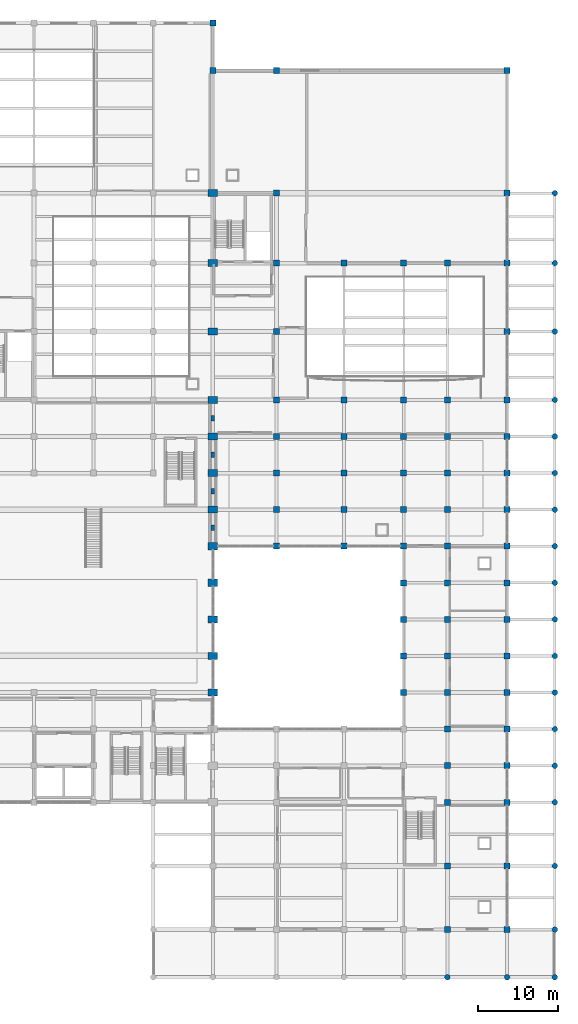
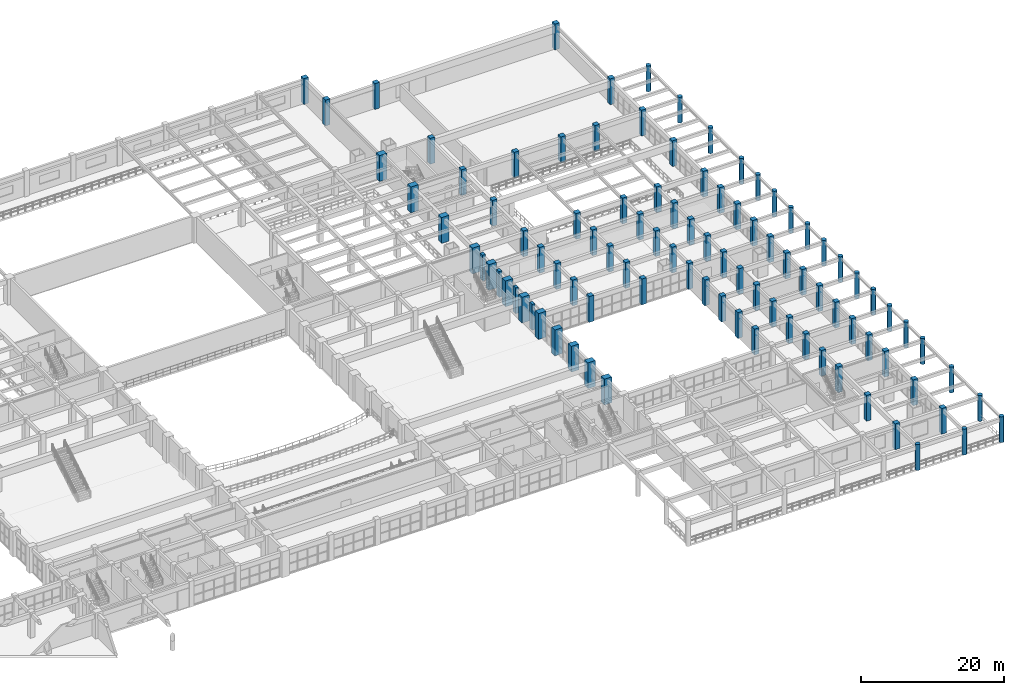
# One storey, part 2 of 116: 96 columns.
"""IFC4 building model written with IfcOpenShell, lengths in metres."""

from ifc_helpers import new_model, si_unit, direction, frame, origin, origin_2d, place, context, subcontext, project, spatial, rectangle, circle, extrude, material, material_profile, profile_set, type_object, element, save


model = new_model("IFC4")

# Units and contexts
model_context = context("Model", 3, precision=1e-05, world=origin(), true_north=direction((0.0, 1.0)))
body_context = subcontext(model_context, "Body", "Model", "MODEL_VIEW")
ifc_project = project(units=[si_unit("LENGTHUNIT", "METRE"), si_unit("AREAUNIT", "SQUARE_METRE"), si_unit("VOLUMEUNIT", "CUBIC_METRE"), si_unit("PLANEANGLEUNIT", "RADIAN"), si_unit("MASSUNIT", "GRAM", prefix="KILO")], contexts=[model_context])

# Site, building, storey
site_placement = place(None, origin())
site = spatial("IfcSite", under=ifc_project, at=site_placement, CompositionType="ELEMENT")
building_placement = place(site_placement, origin())
building = spatial("IfcBuilding", under=site, at=building_placement, Name="Muzn Square Opera House", CompositionType="ELEMENT")
storey_placement = place(building_placement, frame((0.0, 0.0, 5.39990234375)))
storey = spatial("IfcBuildingStorey", under=building, at=storey_placement, Name="L01", CompositionType="ELEMENT", Elevation=5.39990234375)

# Columns
ifc_material = material(Name="Concrete C45/55", Category="concrete")
ifc_material_profile_1 = material_profile(ifc_material, circle(Radius=0.35009765625, at=origin_2d()), Name="RCC D700", Category="concrete")
ifc_profile_set_1 = profile_set([ifc_material_profile_1], Name="Concrete C45/55")
column_type_1 = type_object("IfcColumnType", Name="Colonnade Round Column D700", PredefinedType="COLUMN", material=ifc_profile_set_1)
for number, where, z_axis, x_axis, name in (
    (1, (162.5, 0.0, 0.0), (0.0, 0.0, 1.0), (1.0, 0.0, 0.0), "Column COL-L01-COL-D700-1625_0"),
    (2, (170.0, 0.0, 0.0), (0.0, 0.0, 1.0), (1.0, 0.0, 0.0), "Column COL-L01-COL-D700-1700_0"),
    (3, (176.0, 0.0, 0.0), (0.0, 0.0, 1.0), (1.0, 0.0, 0.0), "Column COL-L01-COL-D700-1760_0"),
    (4, (176.0, 6.0, 0.0), (0.0, 0.0, 1.0), (1.0, 0.0, 0.0), "Column COL-L01-COL-D700-1760_60"),
    (5, (176.0, 14.0, 0.0), (0.0, 0.0, 1.0), (1.0, 0.0, 0.0), "Column COL-L01-COL-D700-1760_140"),
    (6, (176.0, 22.0, 0.0), (0.0, 0.0, 1.0), (1.0, 0.0, 0.0), "Column COL-L01-COL-D700-1760_220"),
    (7, (176.0, 26.60009765625, 0.0), (0.0, 0.0, 1.0), (1.0, 0.0, 0.0), "Column COL-L01-COL-D700-1760_266"),
    (8, (176.0, 31.199951171875, 0.0), (0.0, 0.0, 1.0), (1.0, 0.0, 0.0), "Column COL-L01-COL-D700-1760_312"),
    (9, (176.0, 35.800048828125, 0.0), (0.0, 0.0, 1.0), (1.0, 0.0, 0.0), "Column COL-L01-COL-D700-1760_358"),
    (10, (176.0, 40.39990234375, 0.0), (0.0, 0.0, 1.0), (1.0, 0.0, 0.0), "Column COL-L01-COL-D700-1760_404"),
    (11, (176.0, 45.0, 0.0), (0.0, 0.0, 1.0), (1.0, 0.0, 0.0), "Column COL-L01-COL-D700-1760_450"),
    (12, (176.0, 49.60009765625, 0.0), (0.0, 0.0, 1.0), (1.0, 0.0, 0.0), "Column COL-L01-COL-D700-1760_496"),
    (13, (176.0, 54.199951171875, 0.0), (0.0, 0.0, 1.0), (1.0, 0.0, 0.0), "Column COL-L01-COL-D700-1760_542"),
    (14, (176.0, 58.800048828125, 0.0), (0.0, 0.0, 1.0), (1.0, 0.0, 0.0), "Column COL-L01-COL-D700-1760_588"),
    (15, (176.0, 63.39990234375, 0.0), (0.0, 0.0, 1.0), (1.0, 0.0, 0.0), "Column COL-L01-COL-D700-1760_634"),
    (16, (176.0, 68.0, 0.0), (0.0, 0.0, 1.0), (1.0, 0.0, 0.0), "Column COL-L01-COL-D700-1760_680"),
    (17, (176.0, 72.60009765625, 0.0), (0.0, 0.0, 1.0), (1.0, 0.0, 0.0), "Column COL-L01-COL-D700-1760_726"),
    (18, (176.0, 81.199951171875, 0.0), (0.0, 0.0, 1.0), (1.0, 0.0, 0.0), "Column COL-L01-COL-D700-1760_812"),
    (19, (176.0, 89.800048828125, 0.0), (0.0, 0.0, 1.0), (1.0, 0.0, 0.0), "Column COL-L01-COL-D700-1760_898"),
    (20, (176.0, 98.60009765625, 0.0), (0.0, 0.0, 1.0), (1.0, 0.0, 0.0), "Column COL-L01-COL-D700-1760_986"),
):
    element("IfcColumn", number, at=place(storey_placement, frame(where, z_axis=z_axis, x_axis=x_axis)), inside=storey, type_object=column_type_1, Name=name, PredefinedType="COLUMN", context=body_context, shape_type="SweptSolid", body=[
        extrude(circle(Radius=0.35009765625, at=origin_2d()), origin(), (0.0, 0.0, 1.0), 4.400146484375),
    ])
ifc_material_profile_2 = material_profile(ifc_material, rectangle(XDim=0.449951171875, YDim=0.699951171875, at=origin_2d()), Name="RC 450x700", Category="concrete")
ifc_profile_set_2 = profile_set([ifc_material_profile_2], Name="Concrete C45/55")
column_type_2 = type_object("IfcColumnType", Name="Facade Pilaster 450x700", PredefinedType="PILASTER", material=ifc_profile_set_2)
for number, where, z_axis, x_axis, name in (
    (21, (133.0, 56.5, 0.0), (0.0, 0.0, 1.0), (1.0, 0.0, 0.0), "Engaged Pilaster PIL-L01-PIL-4570-1330_565"),
    (22, (133.0, 61.10009765625, 0.0), (0.0, 0.0, 1.0), (1.0, 0.0, 0.0), "Engaged Pilaster PIL-L01-PIL-4570-1330_611"),
    (23, (133.0, 65.699951171875, 0.0), (0.0, 0.0, 1.0), (1.0, 0.0, 0.0), "Engaged Pilaster PIL-L01-PIL-4570-1330_657"),
    (24, (133.0, 70.300048828125, 0.0), (0.0, 0.0, 1.0), (1.0, 0.0, 0.0), "Engaged Pilaster PIL-L01-PIL-4570-1330_703"),
):
    element("IfcColumn", number, at=place(storey_placement, frame(where, z_axis=z_axis, x_axis=x_axis)), inside=storey, type_object=column_type_2, Name=name, PredefinedType="PILASTER", context=body_context, shape_type="SweptSolid", body=[
        extrude(rectangle(XDim=0.449951171875, YDim=0.699951171875, at=origin_2d()), origin(), (0.0, 0.0, 1.0), 4.400146484375),
    ])
ifc_material_profile_3 = material_profile(ifc_material, rectangle(XDim=1.199951171875, YDim=0.89990234375, at=origin_2d()), Name="RC 1200x900", Category="concrete")
ifc_profile_set_3 = profile_set([ifc_material_profile_3], Name="Concrete C45/55")
column_type_3 = type_object("IfcColumnType", Name="Frame Column 1200x900", PredefinedType="COLUMN", material=ifc_profile_set_3)
for number, where, z_axis, x_axis, name in (
    (25, (133.0, 35.800048828125, 0.0), (0.0, 0.0, 1.0), (1.0, 0.0, 0.0), "Column COL-L01-COL-1209-1330_358"),
    (26, (133.0, 40.39990234375, 0.0), (0.0, 0.0, 1.0), (1.0, 0.0, 0.0), "Column COL-L01-COL-1209-1330_404"),
    (27, (133.0, 45.0, 0.0), (0.0, 0.0, 1.0), (1.0, 0.0, 0.0), "Column COL-L01-COL-1209-1330_450"),
    (28, (133.0, 49.60009765625, 0.0), (0.0, 0.0, 1.0), (1.0, 0.0, 0.0), "Column COL-L01-COL-1209-1330_496"),
    (29, (133.0, 54.199951171875, 0.0), (0.0, 0.0, 1.0), (1.0, 0.0, 0.0), "Column COL-L01-COL-1209-1330_542"),
    (30, (133.0, 58.800048828125, 0.0), (0.0, 0.0, 1.0), (1.0, 0.0, 0.0), "Column COL-L01-COL-1209-1330_588"),
    (31, (133.0, 63.39990234375, 0.0), (0.0, 0.0, 1.0), (1.0, 0.0, 0.0), "Column COL-L01-COL-1209-1330_634"),
    (32, (133.0, 68.0, 0.0), (0.0, 0.0, 1.0), (1.0, 0.0, 0.0), "Column COL-L01-COL-1209-1330_680"),
    (33, (133.0, 72.60009765625, 0.0), (0.0, 0.0, 1.0), (1.0, 0.0, 0.0), "Column COL-L01-COL-1209-1330_726"),
    (34, (133.0, 81.199951171875, 0.0), (0.0, 0.0, 1.0), (1.0, 0.0, 0.0), "Column COL-L01-COL-1209-1330_812"),
    (35, (133.0, 89.800048828125, 0.0), (0.0, 0.0, 1.0), (1.0, 0.0, 0.0), "Column COL-L01-COL-1209-1330_898"),
    (36, (133.0, 98.60009765625, 0.0), (0.0, 0.0, 1.0), (1.0, 0.0, 0.0), "Column COL-L01-COL-1209-1330_986"),
):
    element("IfcColumn", number, at=place(storey_placement, frame(where, z_axis=z_axis, x_axis=x_axis)), inside=storey, type_object=column_type_3, Name=name, PredefinedType="COLUMN", context=body_context, shape_type="SweptSolid", body=[
        extrude(rectangle(XDim=1.199951171875, YDim=0.89990234375, at=origin_2d()), origin(), (0.0, 0.0, 1.0), 4.400146484375),
    ])
ifc_material_profile_4 = material_profile(ifc_material, rectangle(XDim=0.75, YDim=0.75, at=origin_2d()), Name="RC 750x750", Category="concrete")
ifc_profile_set_4 = profile_set([ifc_material_profile_4], Name="Concrete C45/55")
column_type_4 = type_object("IfcColumnType", Name="Frame Column 750x750", PredefinedType="COLUMN", material=ifc_profile_set_4)
for number, where, z_axis, x_axis, name in (
    (37, (133.0, 120.0, 0.0), (0.0, 0.0, 1.0), (1.0, 0.0, 0.0), "Column COL-L01-COL-750-1330_1200"),
    (38, (141.0, 54.199951171875, 0.0), (0.0, 0.0, 1.0), (1.0, 0.0, 0.0), "Column COL-L01-COL-750-1410_542"),
    (39, (141.0, 58.800048828125, 0.0), (0.0, 0.0, 1.0), (1.0, 0.0, 0.0), "Column COL-L01-COL-750-1410_588"),
    (40, (141.0, 63.39990234375, 0.0), (0.0, 0.0, 1.0), (1.0, 0.0, 0.0), "Column COL-L01-COL-750-1410_634"),
    (41, (141.0, 68.0, 0.0), (0.0, 0.0, 1.0), (1.0, 0.0, 0.0), "Column COL-L01-COL-750-1410_680"),
    (42, (141.0, 72.60009765625, 0.0), (0.0, 0.0, 1.0), (1.0, 0.0, 0.0), "Column COL-L01-COL-750-1410_726"),
    (43, (141.0, 81.199951171875, 0.0), (0.0, 0.0, 1.0), (1.0, 0.0, 0.0), "Column COL-L01-COL-750-1410_812"),
    (44, (141.0, 89.800048828125, 0.0), (0.0, 0.0, 1.0), (1.0, 0.0, 0.0), "Column COL-L01-COL-750-1410_898"),
    (45, (141.0, 98.60009765625, 0.0), (0.0, 0.0, 1.0), (1.0, 0.0, 0.0), "Column COL-L01-COL-750-1410_986"),
    (46, (149.5, 54.199951171875, 0.0), (0.0, 0.0, 1.0), (1.0, 0.0, 0.0), "Column COL-L01-COL-750-1495_542"),
    (47, (149.5, 58.800048828125, 0.0), (0.0, 0.0, 1.0), (1.0, 0.0, 0.0), "Column COL-L01-COL-750-1495_588"),
    (48, (149.5, 63.39990234375, 0.0), (0.0, 0.0, 1.0), (1.0, 0.0, 0.0), "Column COL-L01-COL-750-1495_634"),
    (49, (149.5, 68.0, 0.0), (0.0, 0.0, 1.0), (1.0, 0.0, 0.0), "Column COL-L01-COL-750-1495_680"),
    (50, (149.5, 72.60009765625, 0.0), (0.0, 0.0, 1.0), (1.0, 0.0, 0.0), "Column COL-L01-COL-750-1495_726"),
    (51, (149.5, 89.800048828125, 0.0), (0.0, 0.0, 1.0), (1.0, 0.0, 0.0), "Column COL-L01-COL-750-1495_898"),
    (52, (157.0, 35.800048828125, 0.0), (0.0, 0.0, 1.0), (1.0, 0.0, 0.0), "Column COL-L01-COL-750-1570_358"),
    (53, (157.0, 40.39990234375, 0.0), (0.0, 0.0, 1.0), (1.0, 0.0, 0.0), "Column COL-L01-COL-750-1570_404"),
    (54, (157.0, 45.0, 0.0), (0.0, 0.0, 1.0), (1.0, 0.0, 0.0), "Column COL-L01-COL-750-1570_450"),
    (55, (157.0, 49.60009765625, 0.0), (0.0, 0.0, 1.0), (1.0, 0.0, 0.0), "Column COL-L01-COL-750-1570_496"),
    (56, (157.0, 54.199951171875, 0.0), (0.0, 0.0, 1.0), (1.0, 0.0, 0.0), "Column COL-L01-COL-750-1570_542"),
    (57, (157.0, 58.800048828125, 0.0), (0.0, 0.0, 1.0), (1.0, 0.0, 0.0), "Column COL-L01-COL-750-1570_588"),
    (58, (157.0, 63.39990234375, 0.0), (0.0, 0.0, 1.0), (1.0, 0.0, 0.0), "Column COL-L01-COL-750-1570_634"),
    (59, (157.0, 68.0, 0.0), (0.0, 0.0, 1.0), (1.0, 0.0, 0.0), "Column COL-L01-COL-750-1570_680"),
    (60, (157.0, 72.60009765625, 0.0), (0.0, 0.0, 1.0), (1.0, 0.0, 0.0), "Column COL-L01-COL-750-1570_726"),
    (61, (157.0, 89.800048828125, 0.0), (0.0, 0.0, 1.0), (1.0, 0.0, 0.0), "Column COL-L01-COL-750-1570_898"),
    (62, (162.5, 6.0, 0.0), (0.0, 0.0, 1.0), (1.0, 0.0, 0.0), "Column COL-L01-COL-750-1625_60"),
    (63, (162.5, 14.0, 0.0), (0.0, 0.0, 1.0), (1.0, 0.0, 0.0), "Column COL-L01-COL-750-1625_140"),
    (64, (162.5, 22.0, 0.0), (0.0, 0.0, 1.0), (1.0, 0.0, 0.0), "Column COL-L01-COL-750-1625_220"),
    (65, (162.5, 26.60009765625, 0.0), (0.0, 0.0, 1.0), (1.0, 0.0, 0.0), "Column COL-L01-COL-750-1625_266"),
    (66, (162.5, 31.199951171875, 0.0), (0.0, 0.0, 1.0), (1.0, 0.0, 0.0), "Column COL-L01-COL-750-1625_312"),
    (67, (162.5, 35.800048828125, 0.0), (0.0, 0.0, 1.0), (1.0, 0.0, 0.0), "Column COL-L01-COL-750-1625_358"),
    (68, (162.5, 40.39990234375, 0.0), (0.0, 0.0, 1.0), (1.0, 0.0, 0.0), "Column COL-L01-COL-750-1625_404"),
    (69, (162.5, 45.0, 0.0), (0.0, 0.0, 1.0), (1.0, 0.0, 0.0), "Column COL-L01-COL-750-1625_450"),
    (70, (162.5, 49.60009765625, 0.0), (0.0, 0.0, 1.0), (1.0, 0.0, 0.0), "Column COL-L01-COL-750-1625_496"),
    (71, (162.5, 54.199951171875, 0.0), (0.0, 0.0, 1.0), (1.0, 0.0, 0.0), "Column COL-L01-COL-750-1625_542"),
    (72, (162.5, 58.800048828125, 0.0), (0.0, 0.0, 1.0), (1.0, 0.0, 0.0), "Column COL-L01-COL-750-1625_588"),
    (73, (162.5, 63.39990234375, 0.0), (0.0, 0.0, 1.0), (1.0, 0.0, 0.0), "Column COL-L01-COL-750-1625_634"),
    (74, (162.5, 68.0, 0.0), (0.0, 0.0, 1.0), (1.0, 0.0, 0.0), "Column COL-L01-COL-750-1625_680"),
    (75, (162.5, 72.60009765625, 0.0), (0.0, 0.0, 1.0), (1.0, 0.0, 0.0), "Column COL-L01-COL-750-1625_726"),
    (76, (162.5, 89.800048828125, 0.0), (0.0, 0.0, 1.0), (1.0, 0.0, 0.0), "Column COL-L01-COL-750-1625_898"),
    (77, (170.0, 6.0, 0.0), (0.0, 0.0, 1.0), (1.0, 0.0, 0.0), "Column COL-L01-COL-750-1700_60"),
    (78, (170.0, 14.0, 0.0), (0.0, 0.0, 1.0), (1.0, 0.0, 0.0), "Column COL-L01-COL-750-1700_140"),
    (79, (170.0, 22.0, 0.0), (0.0, 0.0, 1.0), (1.0, 0.0, 0.0), "Column COL-L01-COL-750-1700_220"),
    (80, (170.0, 26.60009765625, 0.0), (0.0, 0.0, 1.0), (1.0, 0.0, 0.0), "Column COL-L01-COL-750-1700_266"),
    (81, (170.0, 31.199951171875, 0.0), (0.0, 0.0, 1.0), (1.0, 0.0, 0.0), "Column COL-L01-COL-750-1700_312"),
    (82, (170.0, 35.800048828125, 0.0), (0.0, 0.0, 1.0), (1.0, 0.0, 0.0), "Column COL-L01-COL-750-1700_358"),
    (83, (170.0, 40.39990234375, 0.0), (0.0, 0.0, 1.0), (1.0, 0.0, 0.0), "Column COL-L01-COL-750-1700_404"),
    (84, (170.0, 45.0, 0.0), (0.0, 0.0, 1.0), (1.0, 0.0, 0.0), "Column COL-L01-COL-750-1700_450"),
    (85, (170.0, 49.60009765625, 0.0), (0.0, 0.0, 1.0), (1.0, 0.0, 0.0), "Column COL-L01-COL-750-1700_496"),
    (86, (170.0, 54.199951171875, 0.0), (0.0, 0.0, 1.0), (1.0, 0.0, 0.0), "Column COL-L01-COL-750-1700_542"),
    (87, (170.0, 58.800048828125, 0.0), (0.0, 0.0, 1.0), (1.0, 0.0, 0.0), "Column COL-L01-COL-750-1700_588"),
    (88, (170.0, 63.39990234375, 0.0), (0.0, 0.0, 1.0), (1.0, 0.0, 0.0), "Column COL-L01-COL-750-1700_634"),
    (89, (170.0, 68.0, 0.0), (0.0, 0.0, 1.0), (1.0, 0.0, 0.0), "Column COL-L01-COL-750-1700_680"),
    (90, (170.0, 72.60009765625, 0.0), (0.0, 0.0, 1.0), (1.0, 0.0, 0.0), "Column COL-L01-COL-750-1700_726"),
    (91, (170.0, 81.199951171875, 0.0), (0.0, 0.0, 1.0), (1.0, 0.0, 0.0), "Column COL-L01-COL-750-1700_812"),
    (92, (170.0, 89.800048828125, 0.0), (0.0, 0.0, 1.0), (1.0, 0.0, 0.0), "Column COL-L01-COL-750-1700_898"),
    (93, (170.0, 98.60009765625, 0.0), (0.0, 0.0, 1.0), (1.0, 0.0, 0.0), "Column COL-L01-COL-750-1700_986"),
    (94, (133.0, 114.0, 0.0), (0.0, 0.0, 1.0), (1.0, 0.0, 0.0), "Column COL-N114-L01-007"),
    (95, (141.0, 114.0, 0.0), (0.0, 0.0, 1.0), (1.0, 0.0, 0.0), "Column COL-N114-L01-008"),
    (96, (170.0, 114.0, 0.0), (0.0, 0.0, 1.0), (1.0, 0.0, 0.0), "Column COL-N114-L01-009"),
):
    element("IfcColumn", number, at=place(storey_placement, frame(where, z_axis=z_axis, x_axis=x_axis)), inside=storey, type_object=column_type_4, Name=name, PredefinedType="COLUMN", context=body_context, shape_type="SweptSolid", body=[
        extrude(rectangle(XDim=0.75, YDim=0.75, at=origin_2d()), origin(), (0.0, 0.0, 1.0), 4.400146484375),
    ])

save(model, "model.ifc")
